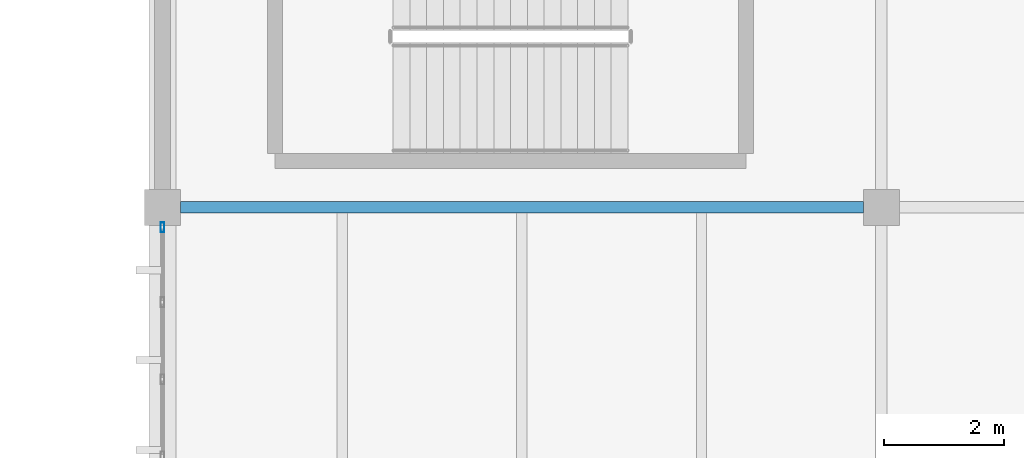
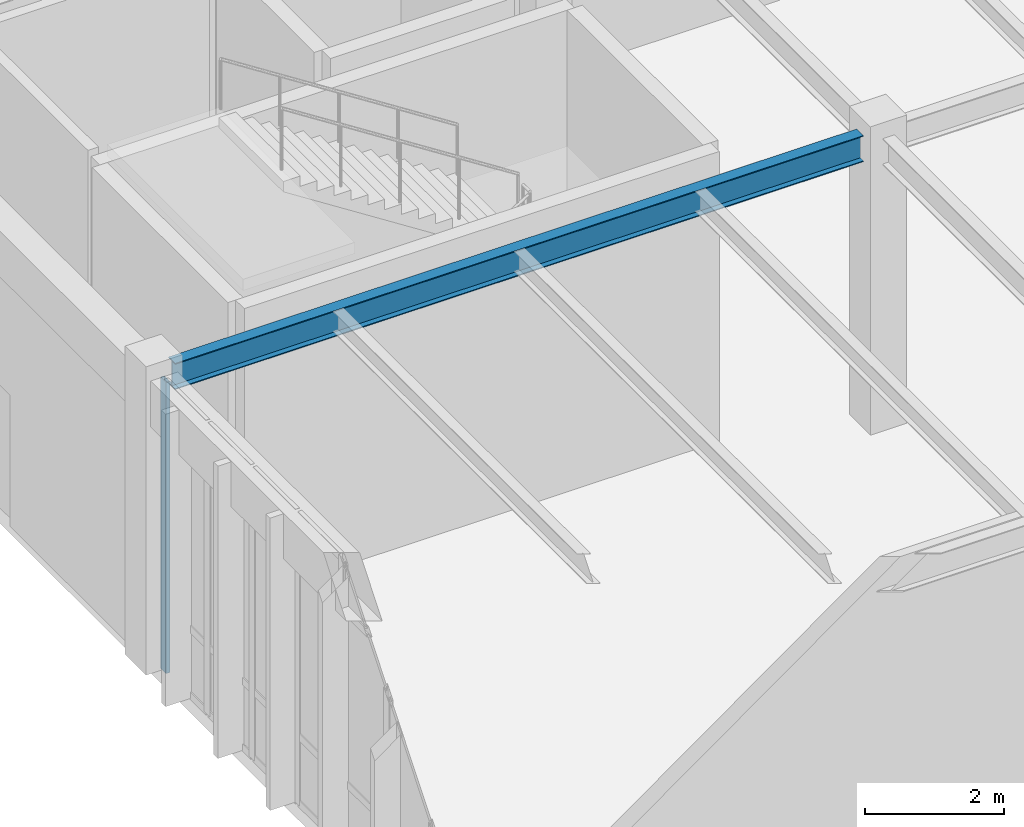
# One storey, part 103 of 188: 1 beam, 1 member, 1 element without a shape of its own.
"""IFC4 building model written with IfcOpenShell, lengths in metres."""

from ifc_helpers import new_model, si_unit, direction, frame, origin, origin_2d, place, context, subcontext, project, spatial, hollow_rectangle, i_section, extrude, material, layer, layer_set, material_profile, profile_set, type_object, element, aggregate, save


model = new_model("IFC4")

# Units and contexts
model_context = context("Model", 3, precision=1e-05, world=origin(), true_north=direction((0.0, 1.0)))
body_context = subcontext(model_context, "Body", "Model", "MODEL_VIEW")
ifc_project = project(units=[si_unit("LENGTHUNIT", "METRE"), si_unit("AREAUNIT", "SQUARE_METRE"), si_unit("VOLUMEUNIT", "CUBIC_METRE"), si_unit("PLANEANGLEUNIT", "RADIAN"), si_unit("MASSUNIT", "GRAM", prefix="KILO")], contexts=[model_context])

# Site, building, storey
site_placement = place(None, origin())
site = spatial("IfcSite", under=ifc_project, at=site_placement, CompositionType="ELEMENT")
building_placement = place(site_placement, origin())
building = spatial("IfcBuilding", under=site, at=building_placement, Name="Pandanus Reach Market Hall", CompositionType="ELEMENT")
storey_placement = place(building_placement, origin())
storey = spatial("IfcBuildingStorey", under=building, at=storey_placement, Name="L00", CompositionType="ELEMENT", Elevation=0.0)

# Beam
ifc_material_1 = material(Name="Steel Grade 350 (350 MPa)", Category="steel")
ifc_material_profile_1 = material_profile(ifc_material_1, i_section(OverallWidth=0.19091796875, OverallDepth=0.4599609375, WebThickness=0.010009765625, FlangeThickness=0.01611328125, at=origin_2d()), Name="460UB82.1", Category="LoadBearing")
ifc_profile_set_1 = profile_set([ifc_material_profile_1], Name="Steel Grade 350 (350 MPa)")
beam_type = type_object("IfcBeamType", Name="BM-UB460H-I", PredefinedType="BEAM", material=ifc_profile_set_1)
beam_placement = place(storey_placement, frame((144.298095703125, 48.0, 4.89453125), z_axis=(1.0, 0.0, 0.0), x_axis=(0.0, 1.0, 0.0)))
element("IfcBeam", 1, at=beam_placement, inside=storey, type_object=beam_type, Name="Framing beam BM-UB460H-I L00.170", PredefinedType="BEAM", context=body_context, shape_type="SweptSolid", body=[
    extrude(i_section(OverallWidth=0.19091796875, OverallDepth=0.4599609375, WebThickness=0.010009765625, FlangeThickness=0.01611328125, at=origin_2d()), origin(), (0.0, 0.0, 1.0), 11.40380859375),
])

# Curtain wall, member
ifc_material_2 = material(Name="Bronze anodised aluminium and low-E glass", Category="aluminium")
ifc_layer = layer(ifc_material_2, 0.159912109375, Name="CW-26")
ifc_layer_set = layer_set([ifc_layer], Name="Bronze anodised aluminium and low-E glass")
curtain_wall_type = type_object("IfcCurtainWallType", Name="CW-26", PredefinedType="NOTDEFINED", material=ifc_layer_set)
curtain_wall_placement = place(storey_placement, origin())
curtain_wall = element("IfcCurtainWall", 2, at=curtain_wall_placement, inside=storey, type_object=curtain_wall_type, Name="Glazed curtain wall CW-26 CW-0078", PredefinedType="NOTDEFINED")
ifc_material_3 = material(Name="Bronze anodised aluminium", Category="aluminium")
ifc_material_profile_2 = material_profile(ifc_material_3, hollow_rectangle(XDim=0.06494140625, YDim=0.159912109375, WallThickness=0.00390625, at=origin_2d()), Name="ALU65x160", Category="LoadBearing")
ifc_profile_set_2 = profile_set([ifc_material_profile_2], Name="Bronze anodised aluminium")
member_type = type_object("IfcMemberType", Name="CW-M1", PredefinedType="MULLION", material=ifc_profile_set_2)
member_placement = place(storey_placement, frame((144.0, 47.66748046875, 0.0), z_axis=(0.0, 0.0, 1.0), x_axis=(-1.0, 0.0, 0.0)))
member = element("IfcMember", 3, at=member_placement, type_object=member_type, Name="CW-26 mullion 8", PredefinedType="MULLION", context=body_context, shape_type="SweptSolid", body=[
    extrude(hollow_rectangle(XDim=0.06494140625, YDim=0.159912109375, WallThickness=0.00390625, at=origin_2d()), origin(), (0.0, 0.0, 1.0), 5.10009765625),
])
aggregate(curtain_wall, [member])

save(model, "model.ifc")
